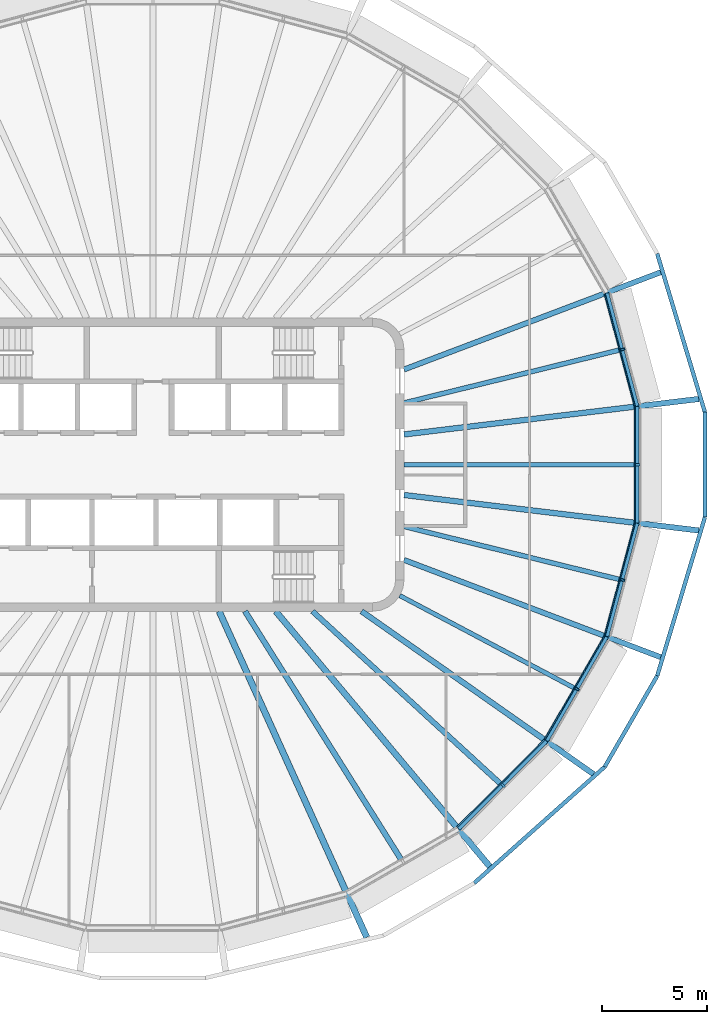
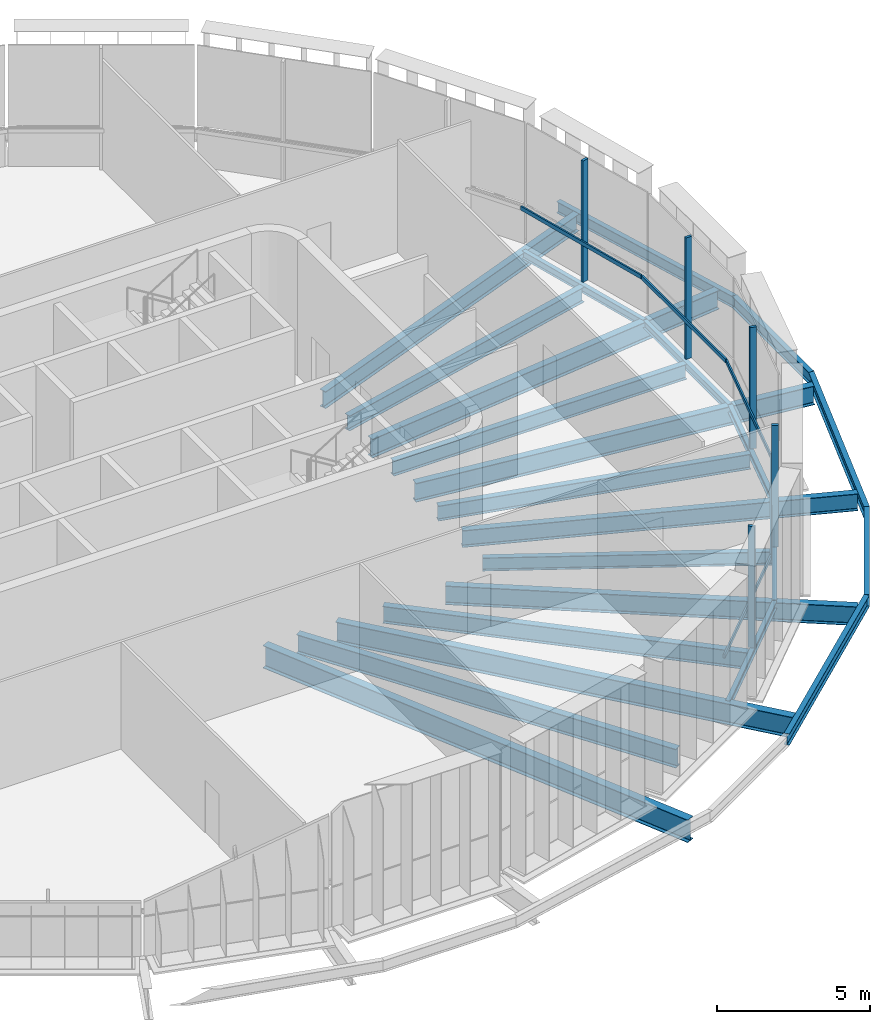
# One storey, part 3 of 16: 23 beams, 10 members, 5 elements without a shape of their own.
"""IFC4 building model written with IfcOpenShell, lengths in metres."""

from ifc_helpers import new_model, si_unit, direction, frame, origin, origin_2d, place, context, subcontext, project, spatial, rectangle, i_section, extrude, material, layer, layer_set, material_profile, profile_set, type_object, element, aggregate, save


model = new_model("IFC4")

# Units and contexts
model_context = context("Model", 3, precision=1e-05, world=origin(), true_north=direction((0.0, 1.0)))
body_context = subcontext(model_context, "Body", "Model", "MODEL_VIEW")
ifc_project = project(units=[si_unit("LENGTHUNIT", "METRE"), si_unit("AREAUNIT", "SQUARE_METRE"), si_unit("VOLUMEUNIT", "CUBIC_METRE"), si_unit("PLANEANGLEUNIT", "RADIAN"), si_unit("MASSUNIT", "GRAM", prefix="KILO")], contexts=[model_context])

# Site, building, storey
site_placement = place(None, origin())
site = spatial("IfcSite", under=ifc_project, at=site_placement, CompositionType="ELEMENT")
building_placement = place(site_placement, origin())
building = spatial("IfcBuilding", under=site, at=building_placement, Name="Sahrelin Media Tower", CompositionType="ELEMENT")
storey_placement = place(building_placement, frame((0.0, 0.0, 324.39990234375)))
storey = spatial("IfcBuildingStorey", under=building, at=storey_placement, Name="L72", CompositionType="ELEMENT", Elevation=324.39990234375)

# Beams
ifc_material_1 = material(Name="Steel S355", Category="steel")
ifc_material_profile_1 = material_profile(ifc_material_1, i_section(OverallWidth=0.1650390625, OverallDepth=0.303466796875, WebThickness=0.006103515625, FlangeThickness=0.01025390625, FilletRadius=0.0087890625, at=origin_2d()), Name="UB 305x165x40")
ifc_profile_set_1 = profile_set([ifc_material_profile_1], Name="Steel S355")
beam_type_1 = type_object("IfcBeamType", Name="Edge beam EB2", PredefinedType="BEAM", material=ifc_profile_set_1)
beam_1_placement = place(storey_placement, frame((23.149169921875, 2.77197265625, -0.301513671875), z_axis=(0.0, -1.0, 0.0), x_axis=(1.0, 0.0, 0.0)))
element("IfcBeam", 1, at=beam_1_placement, inside=storey, type_object=beam_type_1, Name="Edge beam L72-01", PredefinedType="BEAM", context=body_context, shape_type="SweptSolid", body=[
    extrude(i_section(OverallWidth=0.1650390625, OverallDepth=0.303466796875, WebThickness=0.006103515625, FlangeThickness=0.01025390625, FilletRadius=0.0087890625, at=origin_2d()), origin(), (0.0, 0.0, 1.0), 5.5439453125),
])
beam_2_placement = place(storey_placement, frame((23.145263671875, -2.800537109375, -0.301513671875), z_axis=(-0.258803734123, -0.965929928724, 0.0), x_axis=(0.965929928724, -0.258803734123, 0.0)))
element("IfcBeam", 2, at=beam_2_placement, inside=storey, type_object=beam_type_1, Name="Edge beam L72-02", PredefinedType="BEAM", context=body_context, shape_type="SweptSolid", body=[
    extrude(i_section(OverallWidth=0.1650390625, OverallDepth=0.303466796875, WebThickness=0.006103515625, FlangeThickness=0.01025390625, FilletRadius=0.0087890625, at=origin_2d()), origin(), (0.0, 0.0, 1.0), 5.592041015625),
])
beam_3_placement = place(storey_placement, frame((21.68701171875, -8.228759765625, -0.301513671875), z_axis=(-0.500031155639, -0.86600741532, 0.0), x_axis=(0.86600741532, -0.500031155639, 0.0)))
element("IfcBeam", 3, at=beam_3_placement, inside=storey, type_object=beam_type_1, Name="Edge beam L72-03", PredefinedType="BEAM", context=body_context, shape_type="SweptSolid", body=[
    extrude(i_section(OverallWidth=0.1650390625, OverallDepth=0.303466796875, WebThickness=0.006103515625, FlangeThickness=0.01025390625, FilletRadius=0.0087890625, at=origin_2d()), origin(), (0.0, 0.0, 1.0), 5.727783203125),
])
beam_4_placement = place(storey_placement, frame((18.8056640625, -13.2119140625, -0.301513671875), z_axis=(-0.707127398047, -0.707086163725, 0.0), x_axis=(0.707086163725, -0.707127398047, 0.0)))
element("IfcBeam", 4, at=beam_4_placement, inside=storey, type_object=beam_type_1, Name="Edge beam L72-04", PredefinedType="BEAM", context=body_context, shape_type="SweptSolid", body=[
    extrude(i_section(OverallWidth=0.1650390625, OverallDepth=0.303466796875, WebThickness=0.006103515625, FlangeThickness=0.01025390625, FilletRadius=0.0087890625, at=origin_2d()), origin(), (0.0, 0.0, 1.0), 5.9208984375),
])
beam_5_placement = place(storey_placement, frame((21.697998046875, 8.2021484375, -0.301513671875), z_axis=(0.258803734123, -0.965929928724, 0.0), x_axis=(0.965929928724, 0.258803734123, 0.0)))
element("IfcBeam", 5, at=beam_5_placement, inside=storey, type_object=beam_type_1, Name="Edge beam L72-24", PredefinedType="BEAM", context=body_context, shape_type="SweptSolid", body=[
    extrude(i_section(OverallWidth=0.1650390625, OverallDepth=0.303466796875, WebThickness=0.006103515625, FlangeThickness=0.01025390625, FilletRadius=0.0087890625, at=origin_2d()), origin(), (0.0, 0.0, 1.0), 5.592041015625),
])

# Curtain wall, member
ifc_material_2 = material(Name="Champagne anodised aluminium 6063-T6", Category="aluminium")
ifc_layer = layer(ifc_material_2, 0.14990234375)
ifc_layer_set = layer_set([ifc_layer], Name="Observation curtain wall")
curtain_wall_type = type_object("IfcCurtainWallType", Name="Observation curtain wall", PredefinedType="NOTDEFINED", material=ifc_layer_set)
curtain_wall_1_placement = place(storey_placement, frame((23.299072265625, 0.0, 0.0), z_axis=(0.0, 0.0, 1.0), x_axis=(1.0, 0.0, 0.0)))
curtain_wall_1 = element("IfcCurtainWall", 6, at=curtain_wall_1_placement, inside=storey, type_object=curtain_wall_type, Name="L72:CW:L72-00", PredefinedType="NOTDEFINED")
ifc_material_profile_2 = material_profile(ifc_material_2, rectangle(XDim=0.10009765625, YDim=0.22509765625, at=origin_2d()), Name="Mullion 100x225")
ifc_profile_set_2 = profile_set([ifc_material_profile_2], Name="Champagne anodised aluminium 6063-T6")
member_type_1 = type_object("IfcMemberType", Name="Mullion 100x225 CW3", PredefinedType="MULLION", material=ifc_profile_set_2)
member_1_placement = place(storey_placement, frame((23.16650390625, 0.0, 0.0), z_axis=(0.0, 0.0, 1.0), x_axis=(0.0, 1.0, 0.0)))
member_1 = element("IfcMember", 7, at=member_1_placement, type_object=member_type_1, Name="L72:CWM:L72-00", PredefinedType="MULLION", context=body_context, shape_type="SweptSolid", body=[
    extrude(rectangle(XDim=0.10009765625, YDim=0.22509765625, at=origin_2d()), origin(), (0.0, 0.0, 1.0), 4.8486328125),
])

curtain_wall_2_placement = place(storey_placement, frame((22.56640625, 5.540283203125, 0.0), z_axis=(0.0, 0.0, 1.0), x_axis=(1.0, 0.0, 0.0)))
curtain_wall_2 = element("IfcCurtainWall", 8, at=curtain_wall_2_placement, inside=storey, type_object=curtain_wall_type, Name="L72:CW:L72-01", PredefinedType="NOTDEFINED")
member_2_placement = place(storey_placement, frame((22.438720703125, 5.505859375, 0.0), z_axis=(0.0, 0.0, 1.0), x_axis=(-0.258815673384, 0.965926729732, 0.0)))
member_2 = element("IfcMember", 9, at=member_2_placement, type_object=member_type_1, Name="L72:CWM:L72-01", PredefinedType="MULLION", context=body_context, shape_type="SweptSolid", body=[
    extrude(rectangle(XDim=0.10009765625, YDim=0.22509765625, at=origin_2d()), origin(), (0.0, 0.0, 1.0), 4.8486328125),
])

curtain_wall_3_placement = place(storey_placement, frame((16.818359375, -15.4111328125, 0.0), z_axis=(0.0, 0.0, 1.0), x_axis=(1.0, 0.0, 0.0)))
curtain_wall_3 = element("IfcCurtainWall", 10, at=curtain_wall_3_placement, inside=storey, type_object=curtain_wall_type, Name="L72:CW:L72-21", PredefinedType="NOTDEFINED")
member_3_placement = place(storey_placement, frame((16.724609375, -15.3173828125, 0.0), z_axis=(0.0, 0.0, 1.0), x_axis=(0.707098142195, 0.707115420073, 0.0)))
member_3 = element("IfcMember", 11, at=member_3_placement, type_object=member_type_1, Name="L72:CWM:L72-21", PredefinedType="MULLION", context=body_context, shape_type="SweptSolid", body=[
    extrude(rectangle(XDim=0.10009765625, YDim=0.22509765625, at=origin_2d()), origin(), (0.0, 0.0, 1.0), 4.8486328125),
])

curtain_wall_4_placement = place(storey_placement, frame((20.385009765625, -10.78369140625, 0.0), z_axis=(0.0, 0.0, 1.0), x_axis=(1.0, 0.0, 0.0)))
curtain_wall_4 = element("IfcCurtainWall", 12, at=curtain_wall_4_placement, inside=storey, type_object=curtain_wall_type, Name="L72:CW:L72-22", PredefinedType="NOTDEFINED")
member_4_placement = place(storey_placement, frame((20.270263671875, -10.717529296875, 0.0), z_axis=(0.0, 0.0, 1.0), x_axis=(0.500012091947, 0.866018422383, 0.0)))
member_4 = element("IfcMember", 13, at=member_4_placement, type_object=member_type_1, Name="L72:CWM:L72-22", PredefinedType="MULLION", context=body_context, shape_type="SweptSolid", body=[
    extrude(rectangle(XDim=0.10009765625, YDim=0.22509765625, at=origin_2d()), origin(), (0.0, 0.0, 1.0), 4.8486328125),
])

curtain_wall_5_placement = place(storey_placement, frame((22.56640625, -5.540283203125, 0.0), z_axis=(0.0, 0.0, 1.0), x_axis=(1.0, 0.0, 0.0)))
curtain_wall_5 = element("IfcCurtainWall", 14, at=curtain_wall_5_placement, inside=storey, type_object=curtain_wall_type, Name="L72:CW:L72-23", PredefinedType="NOTDEFINED")
member_5_placement = place(storey_placement, frame((22.438720703125, -5.505859375, 0.0), z_axis=(0.0, 0.0, 1.0), x_axis=(0.258815673384, 0.965926729732, 0.0)))
member_5 = element("IfcMember", 15, at=member_5_placement, type_object=member_type_1, Name="L72:CWM:L72-23", PredefinedType="MULLION", context=body_context, shape_type="SweptSolid", body=[
    extrude(rectangle(XDim=0.10009765625, YDim=0.22509765625, at=origin_2d()), origin(), (0.0, 0.0, 1.0), 4.8486328125),
])

# Beams
ifc_material_profile_3 = material_profile(ifc_material_1, i_section(OverallWidth=0.291748046875, OverallDepth=0.8349609375, WebThickness=0.013916015625, FlangeThickness=0.018798828125, FilletRadius=0.017822265625, at=origin_2d()), Name="UB 838x292x176")
ifc_profile_set_3 = profile_set([ifc_material_profile_3], Name="Steel S355")
beam_type_2 = type_object("IfcBeamType", Name="Radial primary beam PB10", PredefinedType="BEAM", material=ifc_profile_set_3)
beam_6_placement = place(storey_placement, frame((5.87060546875, -7.0, -0.5673828125), z_axis=(0.642597154572, -0.766204213598, 0.0), x_axis=(0.766204213598, 0.642597154572, 0.0)))
element("IfcBeam", 16, at=beam_6_placement, inside=storey, type_object=beam_type_2, Name="Radial beam L72-21", PredefinedType="BEAM", context=body_context, shape_type="SweptSolid", body=[
    extrude(i_section(OverallWidth=0.291748046875, OverallDepth=0.8349609375, WebThickness=0.013916015625, FlangeThickness=0.018798828125, FilletRadius=0.017822265625, at=origin_2d()), origin(), (0.0, 0.0, 1.0), 15.91357421875),
])
ifc_material_profile_4 = material_profile(ifc_material_1, i_section(OverallWidth=0.30322265625, OverallDepth=0.903076171875, WebThickness=0.01513671875, FlangeThickness=0.020263671875, FilletRadius=0.01904296875, at=origin_2d()), Name="UB 914x305x201")
ifc_profile_set_4 = profile_set([ifc_material_profile_4], Name="Steel S355")
beam_type_3 = type_object("IfcBeamType", Name="Radial primary beam PB11", PredefinedType="BEAM", material=ifc_profile_set_4)
beam_7_placement = place(storey_placement, frame((3.1689453125, -7.0, -0.601318359375), z_axis=(0.412422382425, -0.910992743371, 0.0), x_axis=(0.910992743371, 0.412422382425, 0.0)))
element("IfcBeam", 17, at=beam_7_placement, inside=storey, type_object=beam_type_3, Name="Radial beam L72-20", PredefinedType="BEAM", context=body_context, shape_type="SweptSolid", body=[
    extrude(i_section(OverallWidth=0.30322265625, OverallDepth=0.903076171875, WebThickness=0.01513671875, FlangeThickness=0.020263671875, FilletRadius=0.01904296875, at=origin_2d()), origin(), (0.0, 0.0, 1.0), 17.10009765625),
])
ifc_material_profile_5 = material_profile(ifc_material_1, i_section(OverallWidth=0.2529296875, OverallDepth=0.677978515625, WebThickness=0.01171875, FlangeThickness=0.01611328125, FilletRadius=0.01513671875, at=origin_2d()), Name="UB 686x254x125")
ifc_profile_set_5 = profile_set([ifc_material_profile_5], Name="Steel S355")
beam_type_4 = type_object("IfcBeamType", Name="Radial primary beam PB8", PredefinedType="BEAM", material=ifc_profile_set_5)
for number, where, z_axis, x_axis, name in (
    (18, (12.0, 4.547607421875, -0.489013671875), (0.935113928602, 0.354347203368, 0.0), (-0.354347203368, 0.935113928602, 0.0), "Radial beam L72-02"),
    (19, (12.0, -4.547607421875, -0.489013671875), (0.935113928602, -0.354347203368, 0.0), (0.354347203368, 0.935113928602, 0.0), "Radial beam L72-23"),
):
    element("IfcBeam", number, at=place(storey_placement, frame(where, z_axis=z_axis, x_axis=x_axis)), inside=storey, type_object=beam_type_4, Name=name, PredefinedType="BEAM", context=body_context, shape_type="SweptSolid", body=[
        extrude(i_section(OverallWidth=0.2529296875, OverallDepth=0.677978515625, WebThickness=0.01171875, FlangeThickness=0.01611328125, FilletRadius=0.01513671875, at=origin_2d()), origin(), (0.0, 0.0, 1.0), 13.11279296875),
    ])
ifc_material_profile_6 = material_profile(ifc_material_1, i_section(OverallWidth=0.26513671875, OverallDepth=0.75390625, WebThickness=0.0126953125, FlangeThickness=0.017578125, FilletRadius=0.0166015625, at=origin_2d()), Name="UB 762x267x147")
ifc_profile_set_6 = profile_set([ifc_material_profile_6], Name="Steel S355")
beam_type_5 = type_object("IfcBeamType", Name="Radial primary beam PB9", PredefinedType="BEAM", material=ifc_profile_set_6)
beam_8_placement = place(storey_placement, frame((12.0, 1.4453125, -0.52685546875), z_axis=(0.992825271685, 0.119574160684, 0.0), x_axis=(-0.119574160684, 0.992825271685, 0.0)))
element("IfcBeam", 20, at=beam_8_placement, inside=storey, type_object=beam_type_5, Name="Radial beam L72-01", PredefinedType="BEAM", context=body_context, shape_type="SweptSolid", body=[
    extrude(i_section(OverallWidth=0.26513671875, OverallDepth=0.75390625, WebThickness=0.0126953125, FlangeThickness=0.017578125, FilletRadius=0.0166015625, at=origin_2d()), origin(), (0.0, 0.0, 1.0), 14.18408203125),
])
beam_9_placement = place(storey_placement, frame((9.97119140625, -7.0, -0.52685546875), z_axis=(0.818447487805, -0.574581334283, 0.0), x_axis=(0.574581334283, 0.818447487805, 0.0)))
element("IfcBeam", 21, at=beam_9_placement, inside=storey, type_object=beam_type_5, Name="Radial beam L72-22", PredefinedType="BEAM", context=body_context, shape_type="SweptSolid", body=[
    extrude(i_section(OverallWidth=0.26513671875, OverallDepth=0.75390625, WebThickness=0.0126953125, FlangeThickness=0.017578125, FilletRadius=0.0166015625, at=origin_2d()), origin(), (0.0, 0.0, 1.0), 13.538330078125),
])
beam_10_placement = place(storey_placement, frame((12.0, -1.4453125, -0.52685546875), z_axis=(0.992825271685, -0.119574160684, 0.0), x_axis=(0.119574160684, 0.992825271685, 0.0)))
element("IfcBeam", 22, at=beam_10_placement, inside=storey, type_object=beam_type_5, Name="Radial beam L72-24", PredefinedType="BEAM", context=body_context, shape_type="SweptSolid", body=[
    extrude(i_section(OverallWidth=0.26513671875, OverallDepth=0.75390625, WebThickness=0.0126953125, FlangeThickness=0.017578125, FilletRadius=0.0166015625, at=origin_2d()), origin(), (0.0, 0.0, 1.0), 14.18408203125),
])
ifc_material_profile_7 = material_profile(ifc_material_1, i_section(OverallWidth=0.208740234375, OverallDepth=0.5283203125, WebThickness=0.009521484375, FlangeThickness=0.01318359375, FilletRadius=0.0126953125, at=origin_2d()), Name="UB 533x210x82")
ifc_profile_set_7 = profile_set([ifc_material_profile_7], Name="Steel S355")
beam_type_6 = type_object("IfcBeamType", Name="Radial secondary beam SB6", PredefinedType="BEAM", material=ifc_profile_set_7)
beam_11_placement = place(storey_placement, frame((11.798583984375, -6.250244140625, -0.4140625), z_axis=(0.883668821173, -0.468112608767, 0.0), x_axis=(0.468112608767, 0.883668821173, 0.0)))
element("IfcBeam", 23, at=beam_11_placement, inside=storey, type_object=beam_type_6, Name="Secondary beam L72-22", PredefinedType="BEAM", context=body_context, shape_type="SweptSolid", body=[
    extrude(i_section(OverallWidth=0.208740234375, OverallDepth=0.5283203125, WebThickness=0.009521484375, FlangeThickness=0.01318359375, FilletRadius=0.0126953125, at=origin_2d()), origin(), (0.0, 0.0, 1.0), 9.476318359375),
])
ifc_material_profile_8 = material_profile(ifc_material_1, i_section(OverallWidth=0.2275390625, OverallDepth=0.6025390625, WebThickness=0.010498046875, FlangeThickness=0.014892578125, FilletRadius=0.0126953125, at=origin_2d()), Name="UB 610x229x101")
ifc_profile_set_8 = profile_set([ifc_material_profile_8], Name="Steel S355")
beam_type_7 = type_object("IfcBeamType", Name="Radial secondary beam SB7", PredefinedType="BEAM", material=ifc_profile_set_8)
for number, where, z_axis, x_axis, name in (
    (24, (12.0, 2.949951171875, -0.451171875), (0.971089995685, 0.238713678452, 0.0), (-0.238713678452, 0.971089995685, 0.0), "Secondary beam L72-01"),
    (25, (12.0, -2.949951171875, -0.451171875), (0.971089995685, -0.238713678452, 0.0), (0.238713678452, 0.971089995685, 0.0), "Secondary beam L72-23"),
):
    element("IfcBeam", number, at=place(storey_placement, frame(where, z_axis=z_axis, x_axis=x_axis)), inside=storey, type_object=beam_type_7, Name=name, PredefinedType="BEAM", context=body_context, shape_type="SweptSolid", body=[
        extrude(i_section(OverallWidth=0.2275390625, OverallDepth=0.6025390625, WebThickness=0.010498046875, FlangeThickness=0.014892578125, FilletRadius=0.0126953125, at=origin_2d()), origin(), (0.0, 0.0, 1.0), 10.646728515625),
    ])
beam_12_placement = place(storey_placement, frame((12.0, 0.0, -0.451171875), z_axis=(1.0, 0.0, 0.0), x_axis=(0.0, 1.0, 0.0)))
element("IfcBeam", 26, at=beam_12_placement, inside=storey, type_object=beam_type_7, Name="Secondary beam L72-24", PredefinedType="BEAM", context=body_context, shape_type="SweptSolid", body=[
    extrude(i_section(OverallWidth=0.2275390625, OverallDepth=0.6025390625, WebThickness=0.010498046875, FlangeThickness=0.014892578125, FilletRadius=0.0126953125, at=origin_2d()), origin(), (0.0, 0.0, 1.0), 11.066650390625),
])
ifc_material_profile_9 = material_profile(ifc_material_1, i_section(OverallWidth=0.2529296875, OverallDepth=0.677978515625, WebThickness=0.01171875, FlangeThickness=0.01611328125, FilletRadius=0.01513671875, at=origin_2d()), Name="UB 686x254x125")
ifc_profile_set_9 = profile_set([ifc_material_profile_9], Name="Steel S355")
beam_type_8 = type_object("IfcBeamType", Name="Radial secondary beam SB8", PredefinedType="BEAM", material=ifc_profile_set_9)
beam_13_placement = place(storey_placement, frame((7.627685546875, -7.0, -0.489013671875), z_axis=(0.736780999389, -0.676131465721, 0.0), x_axis=(0.676131465721, 0.736780999389, 0.0)))
element("IfcBeam", 27, at=beam_13_placement, inside=storey, type_object=beam_type_8, Name="Secondary beam L72-21", PredefinedType="BEAM", context=body_context, shape_type="SweptSolid", body=[
    extrude(i_section(OverallWidth=0.2529296875, OverallDepth=0.677978515625, WebThickness=0.01171875, FlangeThickness=0.01611328125, FilletRadius=0.01513671875, at=origin_2d()), origin(), (0.0, 0.0, 1.0), 12.225341796875),
])
ifc_material_profile_10 = material_profile(ifc_material_1, i_section(OverallWidth=0.26513671875, OverallDepth=0.75390625, WebThickness=0.0126953125, FlangeThickness=0.017578125, FilletRadius=0.0166015625, at=origin_2d()), Name="UB 762x267x147")
ifc_profile_set_10 = profile_set([ifc_material_profile_10], Name="Steel S355")
beam_type_9 = type_object("IfcBeamType", Name="Radial secondary beam SB9", PredefinedType="BEAM", material=ifc_profile_set_10)
beam_14_placement = place(storey_placement, frame((4.4033203125, -7.0, -0.52685546875), z_axis=(0.532436450386, -0.846469979562, 0.0), x_axis=(0.846469979562, 0.532436450386, 0.0)))
element("IfcBeam", 28, at=beam_14_placement, inside=storey, type_object=beam_type_9, Name="Secondary beam L72-20", PredefinedType="BEAM", context=body_context, shape_type="SweptSolid", body=[
    extrude(i_section(OverallWidth=0.26513671875, OverallDepth=0.75390625, WebThickness=0.0126953125, FlangeThickness=0.017578125, FilletRadius=0.0166015625, at=origin_2d()), origin(), (0.0, 0.0, 1.0), 14.041259765625),
])
ifc_material_profile_11 = material_profile(ifc_material_1, i_section(OverallWidth=0.1904296875, OverallDepth=0.45703125, WebThickness=0.009033203125, FlangeThickness=0.014404296875, FilletRadius=0.01025390625, at=origin_2d()), Name="UB 457x191x74")
ifc_profile_set_11 = profile_set([ifc_material_profile_11], Name="Steel S355")
beam_type_10 = type_object("IfcBeamType", Name="Tie chord TC5", PredefinedType="BEAM", material=ifc_profile_set_11)
beam_15_placement = place(storey_placement, frame((26.3720703125, 2.508544921875, -0.37841796875), z_axis=(-0.288015832729, 0.957625647159, 0.0), x_axis=(-0.957625647159, -0.288015832729, 0.0)))
element("IfcBeam", 29, at=beam_15_placement, inside=storey, type_object=beam_type_10, Name="Tie chord L72-01", PredefinedType="BEAM", context=body_context, shape_type="SweptSolid", body=[
    extrude(i_section(OverallWidth=0.1904296875, OverallDepth=0.45703125, WebThickness=0.009033203125, FlangeThickness=0.014404296875, FilletRadius=0.01025390625, at=origin_2d()), origin(), (0.0, 0.0, 1.0), 7.912841796875),
])
beam_16_placement = place(storey_placement, frame((15.3583984375, -19.978515625, -0.37841796875), z_axis=(0.746643186688, 0.665224737793, 0.0), x_axis=(-0.665224737793, 0.746643186688, 0.0)))
element("IfcBeam", 30, at=beam_16_placement, inside=storey, type_object=beam_type_10, Name="Tie chord L72-21", PredefinedType="BEAM", context=body_context, shape_type="SweptSolid", body=[
    extrude(i_section(OverallWidth=0.1904296875, OverallDepth=0.45703125, WebThickness=0.009033203125, FlangeThickness=0.014404296875, FilletRadius=0.01025390625, at=origin_2d()), origin(), (0.0, 0.0, 1.0), 8.339111328125),
])
beam_17_placement = place(storey_placement, frame((21.584716796875, -14.43115234375, -0.37841796875), z_axis=(0.499959752769, 0.866048639287, 0.0), x_axis=(-0.866048639287, 0.499959752769, 0.0)))
element("IfcBeam", 31, at=beam_17_placement, inside=storey, type_object=beam_type_10, Name="Tie chord L72-22", PredefinedType="BEAM", context=body_context, shape_type="SweptSolid", body=[
    extrude(i_section(OverallWidth=0.1904296875, OverallDepth=0.45703125, WebThickness=0.009033203125, FlangeThickness=0.014404296875, FilletRadius=0.01025390625, at=origin_2d()), origin(), (0.0, 0.0, 1.0), 5.01708984375),
])
beam_18_placement = place(storey_placement, frame((24.093017578125, -10.086181640625, -0.37841796875), z_axis=(0.288015832729, 0.957625647159, 0.0), x_axis=(-0.957625647159, 0.288015832729, 0.0)))
element("IfcBeam", 32, at=beam_18_placement, inside=storey, type_object=beam_type_10, Name="Tie chord L72-23", PredefinedType="BEAM", context=body_context, shape_type="SweptSolid", body=[
    extrude(i_section(OverallWidth=0.1904296875, OverallDepth=0.45703125, WebThickness=0.009033203125, FlangeThickness=0.014404296875, FilletRadius=0.01025390625, at=origin_2d()), origin(), (0.0, 0.0, 1.0), 7.912841796875),
])
beam_19_placement = place(storey_placement, frame((26.3720703125, -2.508544921875, -0.37841796875), z_axis=(0.0, 1.0, 0.0), x_axis=(-1.0, 0.0, 0.0)))
element("IfcBeam", 33, at=beam_19_placement, inside=storey, type_object=beam_type_10, Name="Tie chord L72-24", PredefinedType="BEAM", context=body_context, shape_type="SweptSolid", body=[
    extrude(i_section(OverallWidth=0.1904296875, OverallDepth=0.45703125, WebThickness=0.009033203125, FlangeThickness=0.014404296875, FilletRadius=0.01025390625, at=origin_2d()), origin(), (0.0, 0.0, 1.0), 5.01708984375),
])

# Member
ifc_material_profile_12 = material_profile(ifc_material_2, rectangle(XDim=0.06005859375, YDim=0.159912109375, at=origin_2d()), Name="Transom 60x160")
ifc_profile_set_12 = profile_set([ifc_material_profile_12], Name="Champagne anodised aluminium 6063-T6")
member_type_2 = type_object("IfcMemberType", Name="Transom 60x160 CW3", PredefinedType="USERDEFINED", material=ifc_profile_set_12)
member_6_placement = place(storey_placement, frame((23.024169921875, -2.756103515625, 1.60009765625), z_axis=(0.0, 1.0, 0.0), x_axis=(-1.0, 0.0, 0.0)))
member_6 = element("IfcMember", 34, at=member_6_placement, type_object=member_type_2, Name="L72:CWT:L72-00", ObjectType="TRANSOM", PredefinedType="USERDEFINED", context=body_context, shape_type="SweptSolid", body=[
    extrude(rectangle(XDim=0.06005859375, YDim=0.159912109375, at=origin_2d()), origin(), (0.0, 0.0, 1.0), 5.51220703125),
])

aggregate(curtain_wall_1, [member_1, member_6])

member_7_placement = place(storey_placement, frame((23.0205078125, 2.783203125, 1.60009765625), z_axis=(-0.258812893194, 0.965927474667, 0.0), x_axis=(-0.965927474667, -0.258812893194, 0.0)))
member_7 = element("IfcMember", 35, at=member_7_placement, type_object=member_type_2, Name="L72:CWT:L72-01", ObjectType="TRANSOM", PredefinedType="USERDEFINED", context=body_context, shape_type="SweptSolid", body=[
    extrude(rectangle(XDim=0.06005859375, YDim=0.159912109375, at=origin_2d()), origin(), (0.0, 0.0, 1.0), 5.560791015625),
])

aggregate(curtain_wall_2, [member_2, member_7])

member_8_placement = place(storey_placement, frame((14.541748046875, -17.299072265625, 1.60009765625), z_axis=(0.707086053731, 0.707127508034, 0.0), x_axis=(-0.707127508034, 0.707086053731, 0.0)))
member_8 = element("IfcMember", 36, at=member_8_placement, type_object=member_type_2, Name="L72:CWT:L72-21", ObjectType="TRANSOM", PredefinedType="USERDEFINED", context=body_context, shape_type="SweptSolid", body=[
    extrude(rectangle(XDim=0.06005859375, YDim=0.159912109375, at=origin_2d()), origin(), (0.0, 0.0, 1.0), 5.889404296875),
])

aggregate(curtain_wall_3, [member_3, member_8])

member_9_placement = place(storey_placement, frame((18.72265625, -13.11279296875, 1.60009765625), z_axis=(0.500020502941, 0.866013566082, 0.0), x_axis=(-0.866013566082, 0.500020502941, 0.0)))
member_9 = element("IfcMember", 37, at=member_9_placement, type_object=member_type_2, Name="L72:CWT:L72-22", ObjectType="TRANSOM", PredefinedType="USERDEFINED", context=body_context, shape_type="SweptSolid", body=[
    extrude(rectangle(XDim=0.06005859375, YDim=0.159912109375, at=origin_2d()), origin(), (0.0, 0.0, 1.0), 5.696044921875),
])

aggregate(curtain_wall_4, [member_4, member_9])

member_10_placement = place(storey_placement, frame((21.581298828125, -8.154541015625, 1.60009765625), z_axis=(0.258812893194, 0.965927474667, 0.0), x_axis=(-0.965927474667, 0.258812893194, 0.0)))
member_10 = element("IfcMember", 38, at=member_10_placement, type_object=member_type_2, Name="L72:CWT:L72-23", ObjectType="TRANSOM", PredefinedType="USERDEFINED", context=body_context, shape_type="SweptSolid", body=[
    extrude(rectangle(XDim=0.06005859375, YDim=0.159912109375, at=origin_2d()), origin(), (0.0, 0.0, 1.0), 5.560791015625),
])

aggregate(curtain_wall_5, [member_5, member_10])

save(model, "model.ifc")
